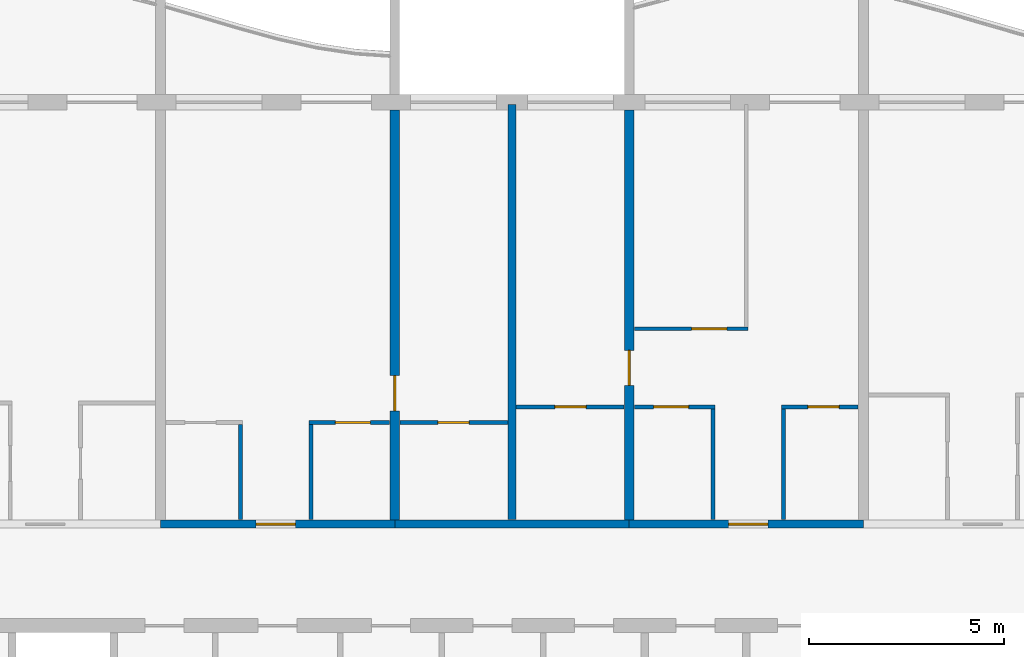
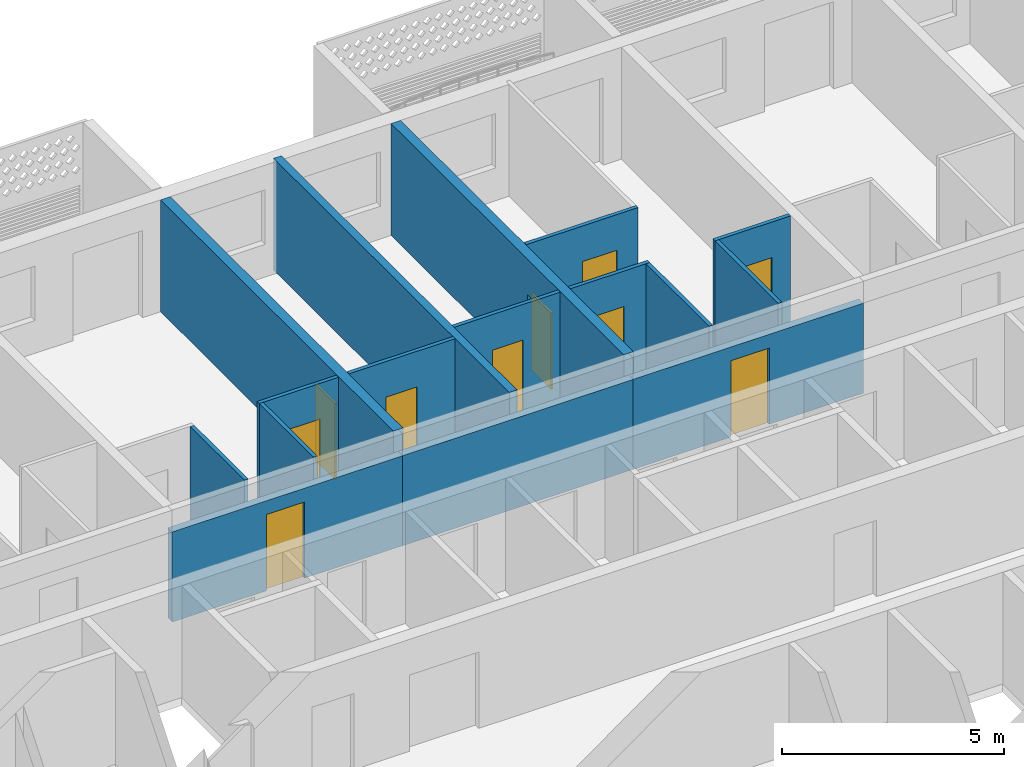
# One storey, part 9 of 29: 16 walls, 10 doors, 10 openings.
"""IFC4 building model written with IfcOpenShell, lengths in metres."""

from ifc_helpers import new_model, si_unit, direction, frame, frame_2d, origin, place, context, subcontext, project, spatial, rectangle, extrude, material, layer, layer_set, type_object, element, fill, save


model = new_model("IFC4")

# Units and contexts
model_context = context("Model", 3, precision=1e-05, world=origin(), true_north=direction((0.0, 1.0)))
body_context = subcontext(model_context, "Body", "Model", "MODEL_VIEW")
ifc_project = project(units=[si_unit("LENGTHUNIT", "METRE"), si_unit("AREAUNIT", "SQUARE_METRE"), si_unit("VOLUMEUNIT", "CUBIC_METRE"), si_unit("PLANEANGLEUNIT", "RADIAN"), si_unit("MASSUNIT", "GRAM", prefix="KILO")], contexts=[model_context])

# Site, building, storey
site_placement = place(None, origin())
site = spatial("IfcSite", under=ifc_project, at=site_placement, CompositionType="ELEMENT")
building_placement = place(site_placement, origin())
building = spatial("IfcBuilding", under=site, at=building_placement, Name="Poui Terraces", CompositionType="ELEMENT")
storey_placement = place(building_placement, frame((0.0, 0.0, 237.89990234375)))
storey = spatial("IfcBuildingStorey", under=building, at=storey_placement, Name="L66", CompositionType="ELEMENT", Elevation=237.89990234375)

# Wall, opening, door
ifc_material_1 = material(Name="Concrete 50 MPa", Category="concrete")
ifc_layer_1 = layer(ifc_material_1, 0.199951171875)
ifc_layer_set_1 = layer_set([ifc_layer_1], Name="Concrete 50 MPa")
wall_type_1 = type_object("IfcWallType", Name="CORRIDOR WALL 200 50MPa", PredefinedType="SHEAR", material=ifc_layer_set_1)
wall_1_placement = place(storey_placement, frame((48.0, 30.39990234375, 0.0), z_axis=(0.0, 0.0, 1.0), x_axis=(1.0, 0.0, 0.0)))
wall_1 = element("IfcWall", 1, at=wall_1_placement, inside=storey, type_object=wall_type_1, Name="CORRIDOR WALL LINE E BAY 6", PredefinedType="SHEAR", context=body_context, shape_type="SweptSolid", body=[
    extrude(rectangle(XDim=6.0, YDim=0.199951171875, at=frame_2d((3.0, 0.0))), origin(), (0.0, 0.0, 1.0), 2.47998046875),
])
opening_1_placement = place(wall_1_placement, frame((2.449951171875, 0.0, 0.0)))
opening_1 = element("IfcOpeningElement", 2, at=opening_1_placement, cuts=wall_1, Name="Opening FD30S", PredefinedType="OPENING", context=body_context, shape_type="SweptSolid", body=[
    extrude(rectangle(XDim=1.0, YDim=2.10009765625, at=frame_2d((0.5, 1.050048828125))), frame((0.0, 0.10986328125, 0.0), z_axis=(0.0, -1.0, 0.0), x_axis=(1.0, 0.0, 0.0)), (0.0, 0.0, 1.0), 0.219970703125),
])
ifc_material_2 = material(Name="Steel fire door", Category="steel")
door_type_1 = type_object("IfcDoorType", Name="FLAT ENTRANCE DOOR 1000 X 2100", OperationType="NOTDEFINED", PredefinedType="DOOR", material=ifc_material_2)
door_1_placement = place(opening_1_placement, origin())
door_1 = element("IfcDoor", 3, at=door_1_placement, inside=storey, type_object=door_type_1, Name="FLAT ENTRANCE DOOR 046", OperationType="SINGLE_SWING_LEFT", OverallHeight=2.10009765625, OverallWidth=1.0, PredefinedType="DOOR", context=body_context, shape_type="SweptSolid", body=[
    extrude(rectangle(XDim=1.0, YDim=2.10009765625, at=frame_2d((0.5, 1.050048828125))), frame((0.0, 0.02490234375, 0.0), z_axis=(0.0, -1.0, 0.0), x_axis=(1.0, 0.0, 0.0)), (0.0, 0.0, 1.0), 0.050048828125),
])
fill(opening_1, door_1)

# Wall
wall_2_placement = place(storey_placement, frame((54.0, 30.39990234375, 0.0), z_axis=(0.0, 0.0, 1.0), x_axis=(1.0, 0.0, 0.0)))
element("IfcWall", 4, at=wall_2_placement, inside=storey, type_object=wall_type_1, Name="CORRIDOR WALL LINE E BAY 7", PredefinedType="SHEAR", context=body_context, shape_type="SweptSolid", body=[
    extrude(rectangle(XDim=6.0, YDim=0.199951171875, at=frame_2d((3.0, 0.0))), origin(), (0.0, 0.0, 1.0), 2.47998046875),
])

# Wall, opening, door
wall_3_placement = place(storey_placement, frame((60.0, 30.39990234375, 0.0), z_axis=(0.0, 0.0, 1.0), x_axis=(1.0, 0.0, 0.0)))
wall_3 = element("IfcWall", 5, at=wall_3_placement, inside=storey, type_object=wall_type_1, Name="CORRIDOR WALL LINE E BAY 8", PredefinedType="SHEAR", context=body_context, shape_type="SweptSolid", body=[
    extrude(rectangle(XDim=6.0, YDim=0.199951171875, at=frame_2d((3.0, 0.0))), origin(), (0.0, 0.0, 1.0), 2.47998046875),
])
opening_2_placement = place(wall_3_placement, frame((2.550048828125, 0.0, 0.0)))
opening_2 = element("IfcOpeningElement", 6, at=opening_2_placement, cuts=wall_3, Name="Opening FD30S", PredefinedType="OPENING", context=body_context, shape_type="SweptSolid", body=[
    extrude(rectangle(XDim=1.0, YDim=2.10009765625, at=frame_2d((0.5, 1.050048828125))), frame((0.0, 0.10986328125, 0.0), z_axis=(0.0, -1.0, 0.0), x_axis=(1.0, 0.0, 0.0)), (0.0, 0.0, 1.0), 0.219970703125),
])
door_2_placement = place(opening_2_placement, origin())
door_2 = element("IfcDoor", 7, at=door_2_placement, inside=storey, type_object=door_type_1, Name="FLAT ENTRANCE DOOR 053", OperationType="SINGLE_SWING_RIGHT", OverallHeight=2.10009765625, OverallWidth=1.0, PredefinedType="DOOR", context=body_context, shape_type="SweptSolid", body=[
    extrude(rectangle(XDim=1.0, YDim=2.10009765625, at=frame_2d((0.5, 1.050048828125))), frame((0.0, 0.02490234375, 0.0), z_axis=(0.0, -1.0, 0.0), x_axis=(1.0, 0.0, 0.0)), (0.0, 0.0, 1.0), 0.050048828125),
])
fill(opening_2, door_2)

ifc_layer_2 = layer(ifc_material_1, 0.25)
ifc_layer_set_2 = layer_set([ifc_layer_2], Name="Concrete 50 MPa")
wall_type_2 = type_object("IfcWallType", Name="CROSS WALL 250 50MPa", PredefinedType="SHEAR", material=ifc_layer_set_2)
wall_4_placement = place(storey_placement, frame((54.0, 30.5, 0.0), z_axis=(0.0, 0.0, 1.0), x_axis=(0.0, 1.0, 0.0)))
wall_4 = element("IfcWall", 8, at=wall_4_placement, inside=storey, type_object=wall_type_2, Name="CROSS WALL LINE 10 NORTH", PredefinedType="SHEAR", context=body_context, shape_type="SweptSolid", body=[
    extrude(rectangle(XDim=10.5, YDim=0.25, at=frame_2d((5.25, 0.0))), origin(), (0.0, 0.0, 1.0), 3.080078125),
])
opening_3_placement = place(wall_4_placement, frame((2.800048828125, 0.0, 0.0)))
opening_3 = element("IfcOpeningElement", 9, at=opening_3_placement, cuts=wall_4, Name="Opening D90", PredefinedType="OPENING", context=body_context, shape_type="SweptSolid", body=[
    extrude(rectangle(XDim=0.89990234375, YDim=2.10009765625, at=frame_2d((0.449951171875, 1.050048828125))), frame((0.0, 0.135009765625, 0.0), z_axis=(0.0, -1.0, 0.0), x_axis=(1.0, 0.0, 0.0)), (0.0, 0.0, 1.0), 0.27001953125),
])
ifc_material_3 = material(Name="Solid core timber door", Category="wood")
door_type_2 = type_object("IfcDoorType", Name="INTERNAL DOOR 900 X 2100", OperationType="NOTDEFINED", PredefinedType="DOOR", material=ifc_material_3)
door_3_placement = place(opening_3_placement, frame((0.89990234375, 0.0, 0.0), z_axis=(0.0, 0.0, 1.0), x_axis=(-1.0, 0.0, 0.0)))
door_3 = element("IfcDoor", 10, at=door_3_placement, inside=storey, type_object=door_type_2, Name="INTERNAL DOOR 048", OperationType="SINGLE_SWING_RIGHT", OverallHeight=2.10009765625, OverallWidth=0.89990234375, PredefinedType="DOOR", context=body_context, shape_type="SweptSolid", body=[
    extrude(rectangle(XDim=0.89990234375, YDim=2.10009765625, at=frame_2d((0.449951171875, 1.050048828125))), frame((0.0, 0.02490234375, 0.0), z_axis=(0.0, -1.0, 0.0), x_axis=(1.0, 0.0, 0.0)), (0.0, 0.0, 1.0), 0.050048828125),
])
fill(opening_3, door_3)

wall_5_placement = place(storey_placement, frame((60.0, 30.5, 0.0), z_axis=(0.0, 0.0, 1.0), x_axis=(0.0, 1.0, 0.0)))
wall_5 = element("IfcWall", 11, at=wall_5_placement, inside=storey, type_object=wall_type_2, Name="CROSS WALL LINE 11 NORTH", PredefinedType="SHEAR", context=body_context, shape_type="SweptSolid", body=[
    extrude(rectangle(XDim=10.5, YDim=0.25, at=frame_2d((5.25, 0.0))), origin(), (0.0, 0.0, 1.0), 3.080078125),
])
opening_4_placement = place(wall_5_placement, frame((3.449951171875, 0.0, 0.0)))
opening_4 = element("IfcOpeningElement", 12, at=opening_4_placement, cuts=wall_5, Name="Opening D90", PredefinedType="OPENING", context=body_context, shape_type="SweptSolid", body=[
    extrude(rectangle(XDim=0.89990234375, YDim=2.10009765625, at=frame_2d((0.449951171875, 1.050048828125))), frame((0.0, 0.135009765625, 0.0), z_axis=(0.0, -1.0, 0.0), x_axis=(1.0, 0.0, 0.0)), (0.0, 0.0, 1.0), 0.27001953125),
])
door_4_placement = place(opening_4_placement, origin())
door_4 = element("IfcDoor", 13, at=door_4_placement, inside=storey, type_object=door_type_2, Name="INTERNAL DOOR 050", OperationType="SINGLE_SWING_LEFT", OverallHeight=2.10009765625, OverallWidth=0.89990234375, PredefinedType="DOOR", context=body_context, shape_type="SweptSolid", body=[
    extrude(rectangle(XDim=0.89990234375, YDim=2.10009765625, at=frame_2d((0.449951171875, 1.050048828125))), frame((0.0, 0.02490234375, 0.0), z_axis=(0.0, -1.0, 0.0), x_axis=(1.0, 0.0, 0.0)), (0.0, 0.0, 1.0), 0.050048828125),
])
fill(opening_4, door_4)

ifc_material_4 = material(Name="Plasterboard partition")
ifc_layer_3 = layer(ifc_material_4, 0.10009765625)
ifc_layer_set_3 = layer_set([ifc_layer_3], Name="Plasterboard partition")
wall_type_3 = type_object("IfcWallType", Name="FLAT PARTITION 100", PredefinedType="PARTITIONING", material=ifc_layer_set_3)
wall_6_placement = place(storey_placement, frame((51.800048828125, 33.0, 0.0), z_axis=(0.0, 0.0, 1.0), x_axis=(1.0, 0.0, 0.0)))
wall_6 = element("IfcWall", 14, at=wall_6_placement, inside=storey, type_object=wall_type_3, Name="FLAT PARTITION 100", PredefinedType="PARTITIONING", context=body_context, shape_type="SweptSolid", body=[
    extrude(rectangle(XDim=2.06494140625, YDim=0.10009765625, at=frame_2d((1.032470703125, 0.0))), origin(), (0.0, 0.0, 1.0), 3.080078125),
])
opening_5_placement = place(wall_6_placement, frame((0.675048828125, 0.0, 0.0)))
opening_5 = element("IfcOpeningElement", 15, at=opening_5_placement, cuts=wall_6, Name="Opening D90", PredefinedType="OPENING", context=body_context, shape_type="SweptSolid", body=[
    extrude(rectangle(XDim=0.89990234375, YDim=2.10009765625, at=frame_2d((0.449951171875, 1.050048828125))), frame((0.0, 0.06005859375, 0.0), z_axis=(0.0, -1.0, 0.0), x_axis=(1.0, 0.0, 0.0)), (0.0, 0.0, 1.0), 0.1201171875),
])
door_5_placement = place(opening_5_placement, frame((0.89990234375, 0.0, 0.0), z_axis=(0.0, 0.0, 1.0), x_axis=(-1.0, 0.0, 0.0)))
door_5 = element("IfcDoor", 16, at=door_5_placement, inside=storey, type_object=door_type_2, Name="INTERNAL DOOR 047", OperationType="SINGLE_SWING_RIGHT", OverallHeight=2.10009765625, OverallWidth=0.89990234375, PredefinedType="DOOR", context=body_context, shape_type="SweptSolid", body=[
    extrude(rectangle(XDim=0.89990234375, YDim=2.10009765625, at=frame_2d((0.449951171875, 1.050048828125))), frame((0.0, 0.02490234375, 0.0), z_axis=(0.0, -1.0, 0.0), x_axis=(1.0, 0.0, 0.0)), (0.0, 0.0, 1.0), 0.050048828125),
])
fill(opening_5, door_5)

wall_7_placement = place(storey_placement, frame((54.135009765625, 33.0, 0.0), z_axis=(0.0, 0.0, 1.0), x_axis=(1.0, 0.0, 0.0)))
wall_7 = element("IfcWall", 17, at=wall_7_placement, inside=storey, type_object=wall_type_3, Name="FLAT PARTITION 100", PredefinedType="PARTITIONING", context=body_context, shape_type="SweptSolid", body=[
    extrude(rectangle(XDim=2.764892578125, YDim=0.10009765625, at=frame_2d((1.38232421875, 0.0))), origin(), (0.0, 0.0, 1.0), 3.080078125),
])
opening_6_placement = place(wall_7_placement, frame((0.965087890625, 0.0, 0.0)))
opening_6 = element("IfcOpeningElement", 18, at=opening_6_placement, cuts=wall_7, Name="Opening D80", PredefinedType="OPENING", context=body_context, shape_type="SweptSolid", body=[
    extrude(rectangle(XDim=0.800048828125, YDim=2.10009765625, at=frame_2d((0.39990234375, 1.050048828125))), frame((0.0, 0.06005859375, 0.0), z_axis=(0.0, -1.0, 0.0), x_axis=(1.0, 0.0, 0.0)), (0.0, 0.0, 1.0), 0.1201171875),
])
door_type_3 = type_object("IfcDoorType", Name="BATHROOM, LAUNDRY AND STORE DOOR 800 X 2100", OperationType="NOTDEFINED", PredefinedType="DOOR", material=ifc_material_3)
door_6_placement = place(opening_6_placement, frame((0.800048828125, 0.0, 0.0), z_axis=(0.0, 0.0, 1.0), x_axis=(-1.0, 0.0, 0.0)))
door_6 = element("IfcDoor", 19, at=door_6_placement, inside=storey, type_object=door_type_3, Name="BATHROOM, LAUNDRY AND STORE DOOR 044", OperationType="SINGLE_SWING_RIGHT", OverallHeight=2.10009765625, OverallWidth=0.800048828125, PredefinedType="DOOR", context=body_context, shape_type="SweptSolid", body=[
    extrude(rectangle(XDim=0.800048828125, YDim=2.10009765625, at=frame_2d((0.39990234375, 1.050048828125))), frame((0.0, 0.02490234375, 0.0), z_axis=(0.0, -1.0, 0.0), x_axis=(1.0, 0.0, 0.0)), (0.0, 0.0, 1.0), 0.050048828125),
])
fill(opening_6, door_6)

wall_8_placement = place(storey_placement, frame((57.10009765625, 33.39990234375, 0.0), z_axis=(0.0, 0.0, 1.0), x_axis=(1.0, 0.0, 0.0)))
wall_8 = element("IfcWall", 20, at=wall_8_placement, inside=storey, type_object=wall_type_3, Name="FLAT PARTITION 100", PredefinedType="PARTITIONING", context=body_context, shape_type="SweptSolid", body=[
    extrude(rectangle(XDim=2.764892578125, YDim=0.10009765625, at=frame_2d((1.38232421875, 0.0))), origin(), (0.0, 0.0, 1.0), 3.080078125),
])
opening_7_placement = place(wall_8_placement, frame((1.0, 0.0, 0.0)))
opening_7 = element("IfcOpeningElement", 21, at=opening_7_placement, cuts=wall_8, Name="Opening D80", PredefinedType="OPENING", context=body_context, shape_type="SweptSolid", body=[
    extrude(rectangle(XDim=0.800048828125, YDim=2.10009765625, at=frame_2d((0.39990234375, 1.050048828125))), frame((0.0, 0.06005859375, 0.0), z_axis=(0.0, -1.0, 0.0), x_axis=(1.0, 0.0, 0.0)), (0.0, 0.0, 1.0), 0.1201171875),
])
door_7_placement = place(opening_7_placement, frame((0.800048828125, 0.0, 0.0), z_axis=(0.0, 0.0, 1.0), x_axis=(-1.0, 0.0, 0.0)))
door_7 = element("IfcDoor", 22, at=door_7_placement, inside=storey, type_object=door_type_3, Name="BATHROOM, LAUNDRY AND STORE DOOR 049", OperationType="SINGLE_SWING_LEFT", OverallHeight=2.10009765625, OverallWidth=0.800048828125, PredefinedType="DOOR", context=body_context, shape_type="SweptSolid", body=[
    extrude(rectangle(XDim=0.800048828125, YDim=2.10009765625, at=frame_2d((0.39990234375, 1.050048828125))), frame((0.0, 0.02490234375, 0.0), z_axis=(0.0, -1.0, 0.0), x_axis=(1.0, 0.0, 0.0)), (0.0, 0.0, 1.0), 0.050048828125),
])
fill(opening_7, door_7)

wall_9_placement = place(storey_placement, frame((60.135009765625, 33.39990234375, 0.0), z_axis=(0.0, 0.0, 1.0), x_axis=(1.0, 0.0, 0.0)))
wall_9 = element("IfcWall", 23, at=wall_9_placement, inside=storey, type_object=wall_type_3, Name="FLAT PARTITION 100", PredefinedType="PARTITIONING", context=body_context, shape_type="SweptSolid", body=[
    extrude(rectangle(XDim=2.06494140625, YDim=0.10009765625, at=frame_2d((1.032470703125, 0.0))), origin(), (0.0, 0.0, 1.0), 3.080078125),
])
opening_8_placement = place(wall_9_placement, frame((0.489990234375, 0.0, 0.0)))
opening_8 = element("IfcOpeningElement", 24, at=opening_8_placement, cuts=wall_9, Name="Opening D90", PredefinedType="OPENING", context=body_context, shape_type="SweptSolid", body=[
    extrude(rectangle(XDim=0.89990234375, YDim=2.10009765625, at=frame_2d((0.449951171875, 1.050048828125))), frame((0.0, 0.06005859375, 0.0), z_axis=(0.0, -1.0, 0.0), x_axis=(1.0, 0.0, 0.0)), (0.0, 0.0, 1.0), 0.1201171875),
])
door_8_placement = place(opening_8_placement, frame((0.89990234375, 0.0, 0.0), z_axis=(0.0, 0.0, 1.0), x_axis=(-1.0, 0.0, 0.0)))
door_8 = element("IfcDoor", 25, at=door_8_placement, inside=storey, type_object=door_type_2, Name="INTERNAL DOOR 051", OperationType="SINGLE_SWING_LEFT", OverallHeight=2.10009765625, OverallWidth=0.89990234375, PredefinedType="DOOR", context=body_context, shape_type="SweptSolid", body=[
    extrude(rectangle(XDim=0.89990234375, YDim=2.10009765625, at=frame_2d((0.449951171875, 1.050048828125))), frame((0.0, 0.02490234375, 0.0), z_axis=(0.0, -1.0, 0.0), x_axis=(1.0, 0.0, 0.0)), (0.0, 0.0, 1.0), 0.050048828125),
])
fill(opening_8, door_8)

wall_10_placement = place(storey_placement, frame((63.89990234375, 33.39990234375, 0.0), z_axis=(0.0, 0.0, 1.0), x_axis=(1.0, 0.0, 0.0)))
wall_10 = element("IfcWall", 26, at=wall_10_placement, inside=storey, type_object=wall_type_3, Name="FLAT PARTITION 100", PredefinedType="PARTITIONING", context=body_context, shape_type="SweptSolid", body=[
    extrude(rectangle(XDim=1.965087890625, YDim=0.10009765625, at=frame_2d((0.982421875, 0.0))), origin(), (0.0, 0.0, 1.0), 3.080078125),
])
opening_9_placement = place(wall_10_placement, frame((0.675048828125, 0.0, 0.0)))
opening_9 = element("IfcOpeningElement", 27, at=opening_9_placement, cuts=wall_10, Name="Opening D80", PredefinedType="OPENING", context=body_context, shape_type="SweptSolid", body=[
    extrude(rectangle(XDim=0.800048828125, YDim=2.10009765625, at=frame_2d((0.39990234375, 1.050048828125))), frame((0.0, 0.06005859375, 0.0), z_axis=(0.0, -1.0, 0.0), x_axis=(1.0, 0.0, 0.0)), (0.0, 0.0, 1.0), 0.1201171875),
])
door_9_placement = place(opening_9_placement, frame((0.800048828125, 0.0, 0.0), z_axis=(0.0, 0.0, 1.0), x_axis=(-1.0, 0.0, 0.0)))
door_9 = element("IfcDoor", 28, at=door_9_placement, inside=storey, type_object=door_type_3, Name="BATHROOM, LAUNDRY AND STORE DOOR 054", OperationType="SINGLE_SWING_RIGHT", OverallHeight=2.10009765625, OverallWidth=0.800048828125, PredefinedType="DOOR", context=body_context, shape_type="SweptSolid", body=[
    extrude(rectangle(XDim=0.800048828125, YDim=2.10009765625, at=frame_2d((0.39990234375, 1.050048828125))), frame((0.0, 0.02490234375, 0.0), z_axis=(0.0, -1.0, 0.0), x_axis=(1.0, 0.0, 0.0)), (0.0, 0.0, 1.0), 0.050048828125),
])
fill(opening_9, door_9)

wall_11_placement = place(storey_placement, frame((60.135009765625, 35.39990234375, 0.0), z_axis=(0.0, 0.0, 1.0), x_axis=(1.0, 0.0, 0.0)))
wall_11 = element("IfcWall", 29, at=wall_11_placement, inside=storey, type_object=wall_type_3, Name="FLAT PARTITION 100", PredefinedType="PARTITIONING", context=body_context, shape_type="SweptSolid", body=[
    extrude(rectangle(XDim=2.9150390625, YDim=0.10009765625, at=frame_2d((1.45751953125, 0.0))), origin(), (0.0, 0.0, 1.0), 3.080078125),
])
opening_10_placement = place(wall_11_placement, frame((1.465087890625, 0.0, 0.0)))
opening_10 = element("IfcOpeningElement", 30, at=opening_10_placement, cuts=wall_11, Name="Opening D90", PredefinedType="OPENING", context=body_context, shape_type="SweptSolid", body=[
    extrude(rectangle(XDim=0.89990234375, YDim=2.10009765625, at=frame_2d((0.449951171875, 1.050048828125))), frame((0.0, 0.06005859375, 0.0), z_axis=(0.0, -1.0, 0.0), x_axis=(1.0, 0.0, 0.0)), (0.0, 0.0, 1.0), 0.1201171875),
])
door_10_placement = place(opening_10_placement, frame((0.89990234375, 0.0, 0.0), z_axis=(0.0, 0.0, 1.0), x_axis=(-1.0, 0.0, 0.0)))
door_10 = element("IfcDoor", 31, at=door_10_placement, inside=storey, type_object=door_type_2, Name="INTERNAL DOOR 052", OperationType="SINGLE_SWING_RIGHT", OverallHeight=2.10009765625, OverallWidth=0.89990234375, PredefinedType="DOOR", context=body_context, shape_type="SweptSolid", body=[
    extrude(rectangle(XDim=0.89990234375, YDim=2.10009765625, at=frame_2d((0.449951171875, 1.050048828125))), frame((0.0, 0.02490234375, 0.0), z_axis=(0.0, -1.0, 0.0), x_axis=(1.0, 0.0, 0.0)), (0.0, 0.0, 1.0), 0.050048828125),
])
fill(opening_10, door_10)

# Walls
for number, where, z_axis, x_axis, name in (
    (32, (50.050048828125, 30.510009765625, 0.0), (0.0, 0.0, 1.0), (0.0, 1.0, 0.0), "FLAT PARTITION 100"),
    (33, (51.85009765625, 30.510009765625, 0.0), (0.0, 0.0, 1.0), (0.0, 1.0, 0.0), "FLAT PARTITION 100"),
):
    element("IfcWall", number, at=place(storey_placement, frame(where, z_axis=z_axis, x_axis=x_axis)), inside=storey, type_object=wall_type_3, Name=name, PredefinedType="PARTITIONING", context=body_context, shape_type="SweptSolid", body=[
        extrude(rectangle(XDim=2.43994140625, YDim=0.10009765625, at=frame_2d((1.219970703125, 0.0))), origin(), (0.0, 0.0, 1.0), 3.080078125),
    ])
for number, where, z_axis, x_axis, name in (
    (34, (62.14990234375, 30.510009765625, 0.0), (0.0, 0.0, 1.0), (0.0, 1.0, 0.0), "FLAT PARTITION 100"),
    (35, (63.949951171875, 30.510009765625, 0.0), (0.0, 0.0, 1.0), (0.0, 1.0, 0.0), "FLAT PARTITION 100"),
):
    element("IfcWall", number, at=place(storey_placement, frame(where, z_axis=z_axis, x_axis=x_axis)), inside=storey, type_object=wall_type_3, Name=name, PredefinedType="PARTITIONING", context=body_context, shape_type="SweptSolid", body=[
        extrude(rectangle(XDim=2.840087890625, YDim=0.10009765625, at=frame_2d((1.419921875, 0.0))), origin(), (0.0, 0.0, 1.0), 3.080078125),
    ])
ifc_material_5 = material(Name="Fire-rated masonry wall", Category="masonry")
ifc_layer_4 = layer(ifc_material_5, 0.199951171875)
ifc_layer_set_4 = layer_set([ifc_layer_4], Name="Fire-rated masonry wall")
wall_type_4 = type_object("IfcWallType", Name="FLAT PARTY WALL 200", PredefinedType="PARTITIONING", material=ifc_layer_set_4)
wall_12_placement = place(storey_placement, frame((57.0, 30.510009765625, 0.0), z_axis=(0.0, 0.0, 1.0), x_axis=(0.0, 1.0, 0.0)))
element("IfcWall", 36, at=wall_12_placement, inside=storey, type_object=wall_type_4, Name="FLAT PARTY WALL 200", PredefinedType="PARTITIONING", context=body_context, shape_type="SweptSolid", body=[
    extrude(rectangle(XDim=10.6298828125, YDim=0.199951171875, at=frame_2d((5.31494140625, 0.0))), origin(), (0.0, 0.0, 1.0), 3.080078125),
])

save(model, "model.ifc")
